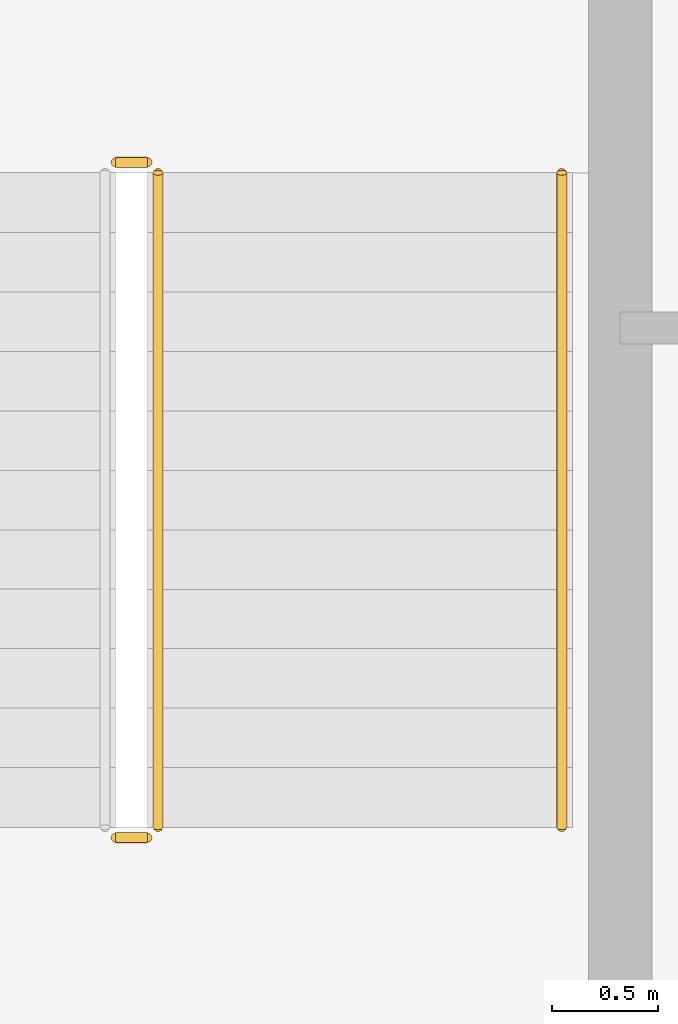
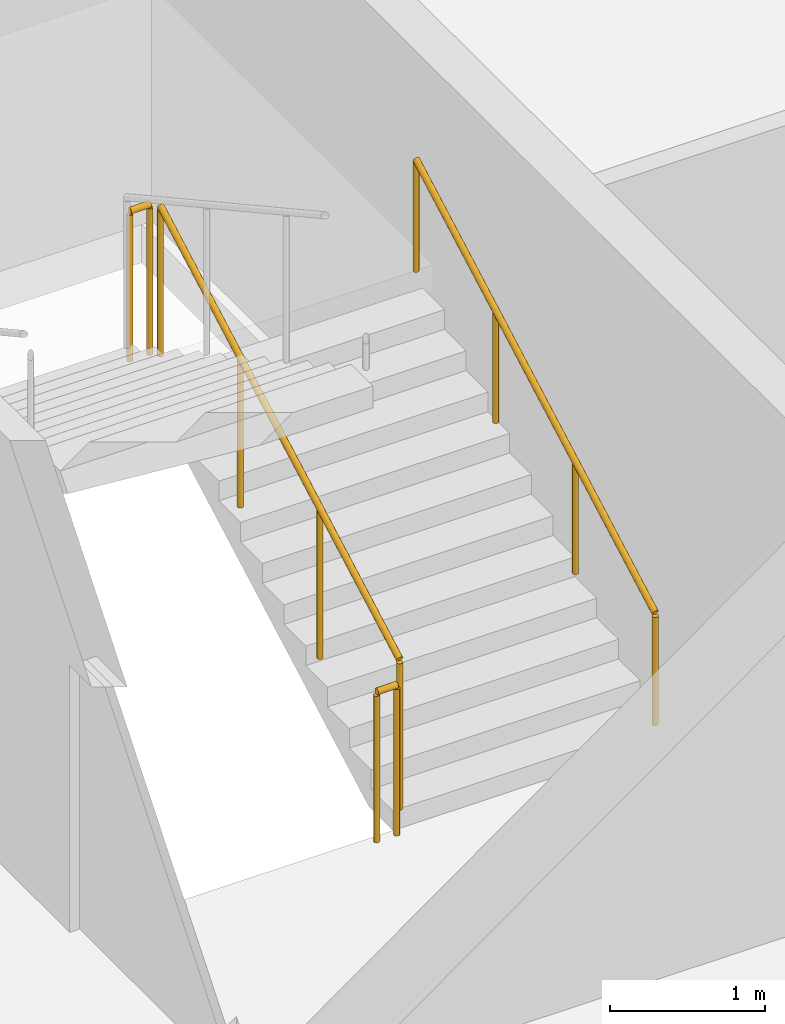
# One storey, part 14 of 14: 4 railings.
"""IFC4 building model written with IfcOpenShell, lengths in metres."""

from ifc_helpers import new_model, si_unit, direction, frame, origin, origin_2d, place, context, subcontext, project, spatial, circle, extrude, material, type_object, element, save


model = new_model("IFC4")

# Units and contexts
model_context = context("Model", 3, precision=1e-05, world=origin(), true_north=direction((0.0, 1.0)))
body_context = subcontext(model_context, "Body", "Model", "MODEL_VIEW")
ifc_project = project(units=[si_unit("LENGTHUNIT", "METRE"), si_unit("AREAUNIT", "SQUARE_METRE"), si_unit("VOLUMEUNIT", "CUBIC_METRE"), si_unit("PLANEANGLEUNIT", "RADIAN"), si_unit("MASSUNIT", "GRAM", prefix="KILO")], contexts=[model_context])

# Site, building, storey
site_placement = place(None, origin())
site = spatial("IfcSite", under=ifc_project, at=site_placement, CompositionType="ELEMENT")
building_placement = place(site_placement, origin())
building = spatial("IfcBuilding", under=site, at=building_placement, Name="Caravel Reach Hotel and Residences", CompositionType="ELEMENT")
storey_placement = place(building_placement, frame((0.0, 0.0, 161.699951171875)))
storey = spatial("IfcBuildingStorey", under=building, at=storey_placement, Name="L40", CompositionType="ELEMENT", Elevation=161.699951171875)

# Railings
ifc_material_1 = material(Name="Steel balustrade with glass infill", Category="steel")
railing_type_1 = type_object("IfcRailingType", Name="Guard 1200", PredefinedType="GUARDRAIL", material=ifc_material_1)
railing_1_placement = place(storey_placement, frame((42.824951171875, 24.64990234375, 0.154296875)))
element("IfcRailing", 1, at=railing_1_placement, inside=storey, type_object=railing_type_1, Name="L40 ST-B stair guard 1", PredefinedType="GUARDRAIL", context=body_context, shape_type="SweptSolid", body=[
    extrude(circle(Radius=0.02392578125, at=origin_2d()), frame((0.0, 0.0, 1.17578125), z_axis=(0.0, 0.876004717809, 0.482302534076), x_axis=(-1.0, 0.0, 0.0)), (0.0, 0.0, 1.0), 3.51611328125),
    extrude(circle(Radius=0.02099609375, at=origin_2d()), origin(), (0.0, 0.0, 1.0), 1.15185546875),
    extrude(circle(Radius=0.02099609375, at=origin_2d()), frame((0.0, 1.026611328125, 0.565185546875)), (0.0, 0.0, 1.0), 1.15185546875),
    extrude(circle(Radius=0.02099609375, at=origin_2d()), frame((0.0, 2.053466796875, 1.130615234375)), (0.0, 0.0, 1.0), 1.15185546875),
    extrude(circle(Radius=0.02099609375, at=origin_2d()), frame((0.0, 3.080078125, 1.69580078125)), (0.0, 0.0, 1.0), 1.15185546875),
])
for number, where, name in (
    (2, (42.77490234375, 27.780029296875, 1.85009765625), "L40 ST-B stair guard 2"),
    (3, (42.77490234375, 24.60009765625, 0.0), "L40 ST-B stair guard 4"),
):
    element("IfcRailing", number, at=place(storey_placement, frame(where)), inside=storey, type_object=railing_type_1, Name=name, PredefinedType="GUARDRAIL", context=body_context, shape_type="SweptSolid", body=[
        extrude(circle(Radius=0.02392578125, at=origin_2d()), frame((0.0, 0.0, 1.17578125), z_axis=(-1.0, 0.0, 0.0), x_axis=(0.0, -1.0, 0.0)), (0.0, 0.0, 1.0), 0.14990234375),
        extrude(circle(Radius=0.02099609375, at=origin_2d()), origin(), (0.0, 0.0, 1.0), 1.15185546875),
        extrude(circle(Radius=0.02099609375, at=origin_2d()), frame((-0.14990234375, 0.0, 0.0)), (0.0, 0.0, 1.0), 1.15185546875),
    ])
ifc_material_2 = material(Name="Stainless steel handrail", Category="steel")
railing_type_2 = type_object("IfcRailingType", Name="Handrail 900", PredefinedType="HANDRAIL", material=ifc_material_2)
railing_2_placement = place(storey_placement, frame((44.72509765625, 24.64990234375, 0.154296875)))
element("IfcRailing", 4, at=railing_2_placement, inside=storey, type_object=railing_type_2, Name="L40 ST-B stair handrail 1", PredefinedType="HANDRAIL", context=body_context, shape_type="SweptSolid", body=[
    extrude(circle(Radius=0.02392578125, at=origin_2d()), frame((0.0, 0.0, 0.8759765625), z_axis=(0.0, 0.876004717809, 0.482302534076), x_axis=(-1.0, 0.0, 0.0)), (0.0, 0.0, 1.0), 3.51611328125),
    extrude(circle(Radius=0.02099609375, at=origin_2d()), origin(), (0.0, 0.0, 1.0), 0.851806640625),
    extrude(circle(Radius=0.02099609375, at=origin_2d()), frame((0.0, 1.026611328125, 0.565185546875)), (0.0, 0.0, 1.0), 0.851806640625),
    extrude(circle(Radius=0.02099609375, at=origin_2d()), frame((0.0, 2.053466796875, 1.130615234375)), (0.0, 0.0, 1.0), 0.851806640625),
    extrude(circle(Radius=0.02099609375, at=origin_2d()), frame((0.0, 3.080078125, 1.69580078125)), (0.0, 0.0, 1.0), 0.851806640625),
])

save(model, "model.ifc")
